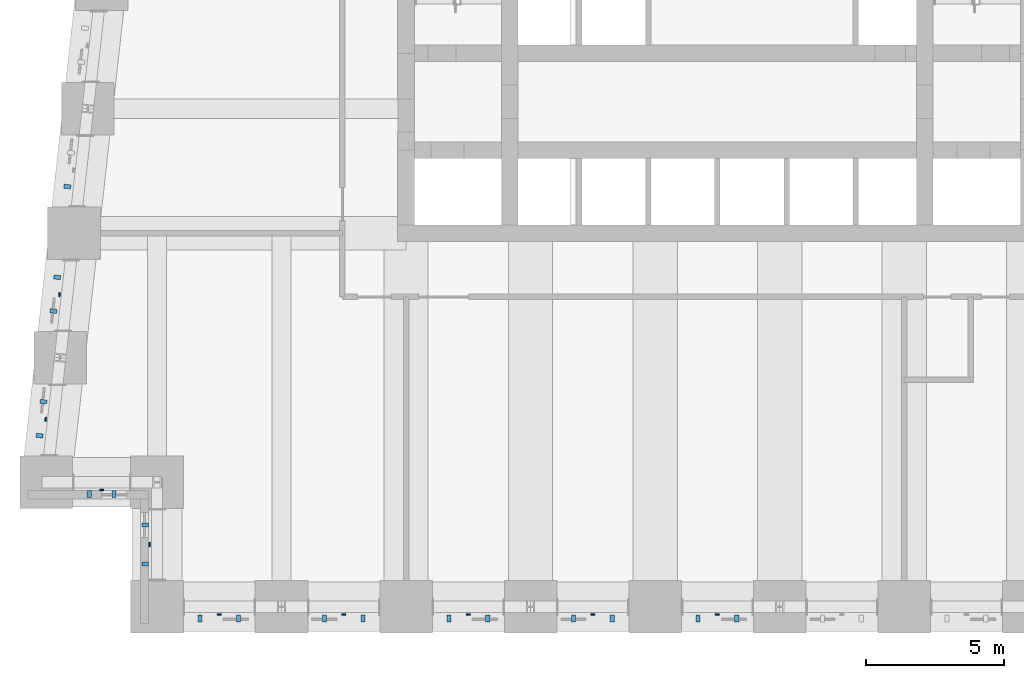
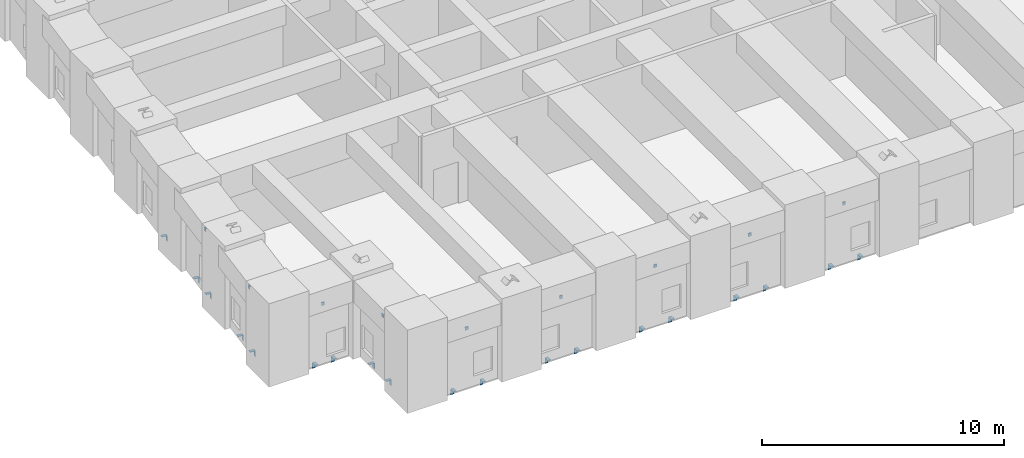
# One storey, part 9 of 16: 28 discrete accessories.
"""IFC4 building model written with IfcOpenShell, lengths in metres."""

from ifc_helpers import new_model, si_unit, direction, frame, origin, place, context, subcontext, project, spatial, polyline, outline, extrude, source, transform, mapped, material, layer, layer_set, type_object, element, save


model = new_model("IFC4")

# Units and contexts
model_context = context("Model", 3, precision=1e-05, world=origin(), true_north=direction((0.0, 1.0)))
body_context = subcontext(model_context, "Body", "Model", "MODEL_VIEW")
ifc_project = project(units=[si_unit("LENGTHUNIT", "METRE"), si_unit("AREAUNIT", "SQUARE_METRE"), si_unit("VOLUMEUNIT", "CUBIC_METRE"), si_unit("PLANEANGLEUNIT", "RADIAN"), si_unit("MASSUNIT", "GRAM", prefix="KILO")], contexts=[model_context])

# Site, building, storey
site_placement = place(None, origin())
site = spatial("IfcSite", under=ifc_project, at=site_placement, CompositionType="ELEMENT")
building_placement = place(site_placement, origin())
building = spatial("IfcBuilding", under=site, at=building_placement, Name="Kilele Tower Hotel", CompositionType="ELEMENT")
storey_placement = place(building_placement, frame((0.0, 0.0, 85.699951171875)))
storey = spatial("IfcBuildingStorey", under=building, at=storey_placement, Name="L21", CompositionType="ELEMENT", Elevation=85.699951171875)

# Discrete accessories
ifc_material_1 = material(Name="Hot-dip galvanized steel S355", Category="steel")
ifc_layer_1 = layer(ifc_material_1, 0.014892578125)
ifc_layer_set_1 = layer_set([ifc_layer_1], Name="Hot-dip galvanized steel S355")
discrete_accessory_type_1 = type_object("IfcDiscreteAccessoryType", Name="Facade panel bearing bracket 250x150x15", PredefinedType="BRACKET", material=ifc_layer_set_1)
shared_shape_1 = source(origin(), body_context, "Body", "SweptSolid", [
    extrude(outline(polyline([(0.0, 0.0), (0.25, 0.0), (0.25, -0.014892578125), (0.014892578125, -0.014892578125), (0.014892578125, -0.300048828125), (0.0, -0.300048828125), (0.0, 0.0)])), origin(), (0.0, 0.0, 1.0), 0.14990234375),
])
for number, where, z_axis, x_axis, name in (
    (1, (2.125, 4.199951171875, 0.0), (-1.0, 0.0, 0.0), (0.0, -1.0, 0.0), "Facade panel bearing bracket L21"),
    (2, (3.02490234375, 4.199951171875, 0.0), (-1.0, 0.0, 0.0), (0.0, -1.0, 0.0), "Facade panel bearing bracket L21"),
    (3, (4.199951171875, 2.875, 0.0), (0.0, 1.0, 0.0), (-1.0, 0.0, 0.0), "Facade panel bearing bracket L21"),
    (4, (4.199951171875, 1.47509765625, 0.0), (0.0, 1.0, 0.0), (-1.0, 0.0, 0.0), "Facade panel bearing bracket L21"),
    (5, (6.125, -0.300048828125, 0.0), (-1.0, 0.0, 0.0), (0.0, -1.0, 0.0), "Facade panel bearing bracket L21"),
    (6, (7.52490234375, -0.300048828125, 0.0), (-1.0, 0.0, 0.0), (0.0, -1.0, 0.0), "Facade panel bearing bracket L21"),
    (7, (10.625, -0.300048828125, 0.0), (-1.0, 0.0, 0.0), (0.0, -1.0, 0.0), "Facade panel bearing bracket L21"),
    (8, (12.02490234375, -0.300048828125, 0.0), (-1.0, 0.0, 0.0), (0.0, -1.0, 0.0), "Facade panel bearing bracket L21"),
    (9, (15.125, -0.300048828125, 0.0), (-1.0, 0.0, 0.0), (0.0, -1.0, 0.0), "Facade panel bearing bracket L21"),
    (10, (16.52490234375, -0.300048828125, 0.0), (-1.0, 0.0, 0.0), (0.0, -1.0, 0.0), "Facade panel bearing bracket L21"),
    (11, (19.625, -0.300048828125, 0.0), (-1.0, 0.0, 0.0), (0.0, -1.0, 0.0), "Facade panel bearing bracket L21"),
    (12, (21.02490234375, -0.300048828125, 0.0), (-1.0, 0.0, 0.0), (0.0, -1.0, 0.0), "Facade panel bearing bracket L21"),
    (13, (24.125, -0.300048828125, 0.0), (-1.0, 0.0, 0.0), (0.0, -1.0, 0.0), "Facade panel bearing bracket L21"),
    (14, (25.52490234375, -0.300048828125, 0.0), (-1.0, 0.0, 0.0), (0.0, -1.0, 0.0), "Facade panel bearing bracket L21"),
    (15, (1.375732421875, 15.09765625, 0.0), (0.110432, 0.993884, 0.0), (-0.993884, 0.110432, 0.0), "Facade panel bearing bracket L21"),
    (16, (1.011474609375, 11.819580078125, 0.0), (0.110432, 0.993884, 0.0), (-0.993884, 0.110432, 0.0), "Facade panel bearing bracket L21"),
    (17, (0.875732421875, 10.59765625, 0.0), (0.110432, 0.993884, 0.0), (-0.993884, 0.110432, 0.0), "Facade panel bearing bracket L21"),
    (18, (0.511474609375, 7.319580078125, 0.0), (0.110432, 0.993884, 0.0), (-0.993884, 0.110432, 0.0), "Facade panel bearing bracket L21"),
    (19, (0.375732421875, 6.09765625, 0.0), (0.110432, 0.993884, 0.0), (-0.993884, 0.110432, 0.0), "Facade panel bearing bracket L21"),
):
    element("IfcDiscreteAccessory", number, at=place(storey_placement, frame(where, z_axis=z_axis, x_axis=x_axis)), inside=storey, type_object=discrete_accessory_type_1, Name=name, PredefinedType="BRACKET", context=body_context, shape_type="MappedRepresentation", body=[
        mapped(shared_shape_1, transform((0.0, 0.0, 0.0))),
    ])
ifc_material_2 = material(Name="Hot-dip galvanized steel S355", Category="steel")
ifc_layer_2 = layer(ifc_material_2, 0.011962890625)
ifc_layer_set_2 = layer_set([ifc_layer_2], Name="Hot-dip galvanized steel S355")
discrete_accessory_type_2 = type_object("IfcDiscreteAccessoryType", Name="Facade panel restraint bracket 150x50x12", PredefinedType="BRACKET", material=ifc_layer_set_2)
shared_shape_2 = source(origin(), body_context, "Body", "SweptSolid", [
    extrude(outline(polyline([(0.0, 0.0), (0.0, -0.14990234375), (-0.011962890625, -0.14990234375), (-0.011962890625, -0.011962890625), (-0.050048828125, -0.011962890625), (-0.050048828125, 0.0), (0.0, 0.0)])), origin(), (0.0, 0.0, 1.0), 0.14990234375),
])
for number, where, z_axis, x_axis, name in (
    (20, (2.574951171875, 4.199951171875, 2.85009765625), (-1.0, 0.0, 0.0), (0.0, -1.0, 0.0), "Facade panel restraint bracket L21"),
    (21, (4.199951171875, 2.175048828125, 2.85009765625), (0.0, 1.0, 0.0), (-1.0, 0.0, 0.0), "Facade panel restraint bracket L21"),
    (22, (6.824951171875, -0.300048828125, 2.85009765625), (-1.0, 0.0, 0.0), (0.0, -1.0, 0.0), "Facade panel restraint bracket L21"),
    (23, (11.324951171875, -0.300048828125, 2.85009765625), (-1.0, 0.0, 0.0), (0.0, -1.0, 0.0), "Facade panel restraint bracket L21"),
    (24, (15.824951171875, -0.300048828125, 2.85009765625), (-1.0, 0.0, 0.0), (0.0, -1.0, 0.0), "Facade panel restraint bracket L21"),
    (25, (20.324951171875, -0.300048828125, 2.85009765625), (-1.0, 0.0, 0.0), (0.0, -1.0, 0.0), "Facade panel restraint bracket L21"),
    (26, (24.824951171875, -0.300048828125, 2.85009765625), (-1.0, 0.0, 0.0), (0.0, -1.0, 0.0), "Facade panel restraint bracket L21"),
    (27, (0.943603515625, 11.20849609375, 2.85009765625), (0.110432, 0.993884, 0.0), (-0.993884, 0.110432, 0.0), "Facade panel restraint bracket L21"),
    (28, (0.443603515625, 6.70849609375, 2.85009765625), (0.110432, 0.993884, 0.0), (-0.993884, 0.110432, 0.0), "Facade panel restraint bracket L21"),
):
    element("IfcDiscreteAccessory", number, at=place(storey_placement, frame(where, z_axis=z_axis, x_axis=x_axis)), inside=storey, type_object=discrete_accessory_type_2, Name=name, PredefinedType="BRACKET", context=body_context, shape_type="MappedRepresentation", body=[
        mapped(shared_shape_2, transform((0.0, 0.0, 0.0))),
    ])

save(model, "model.ifc")
